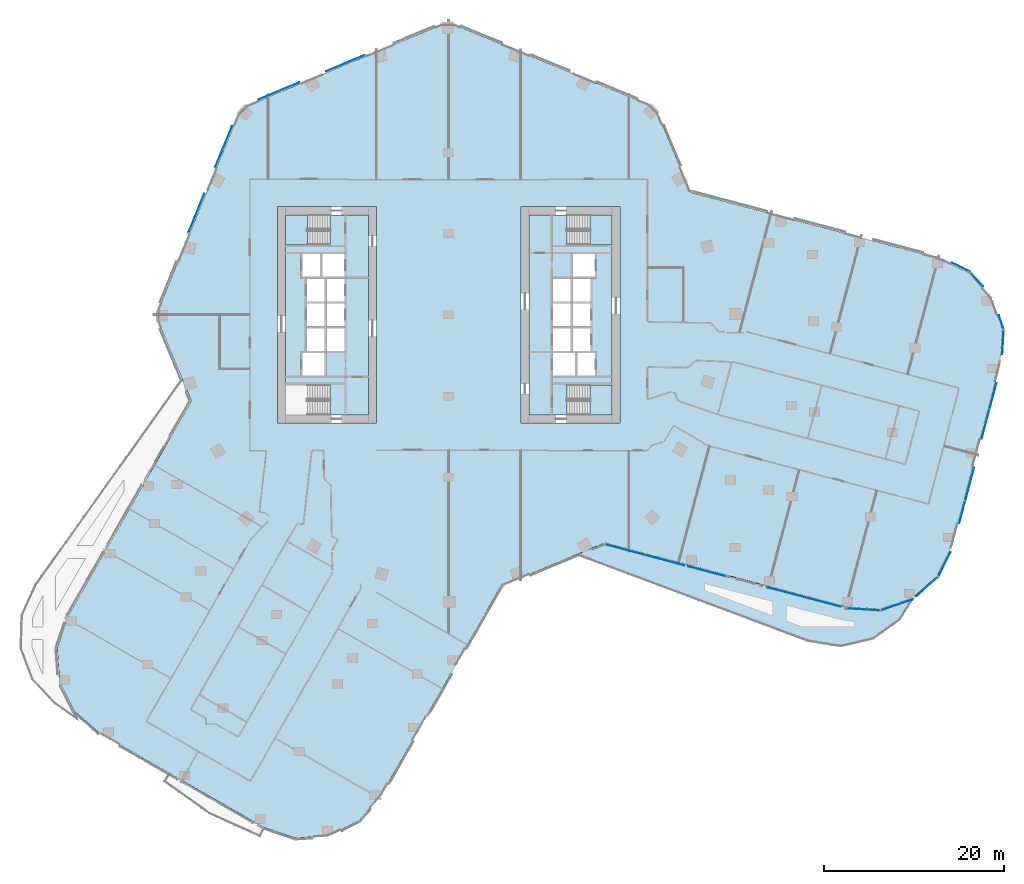
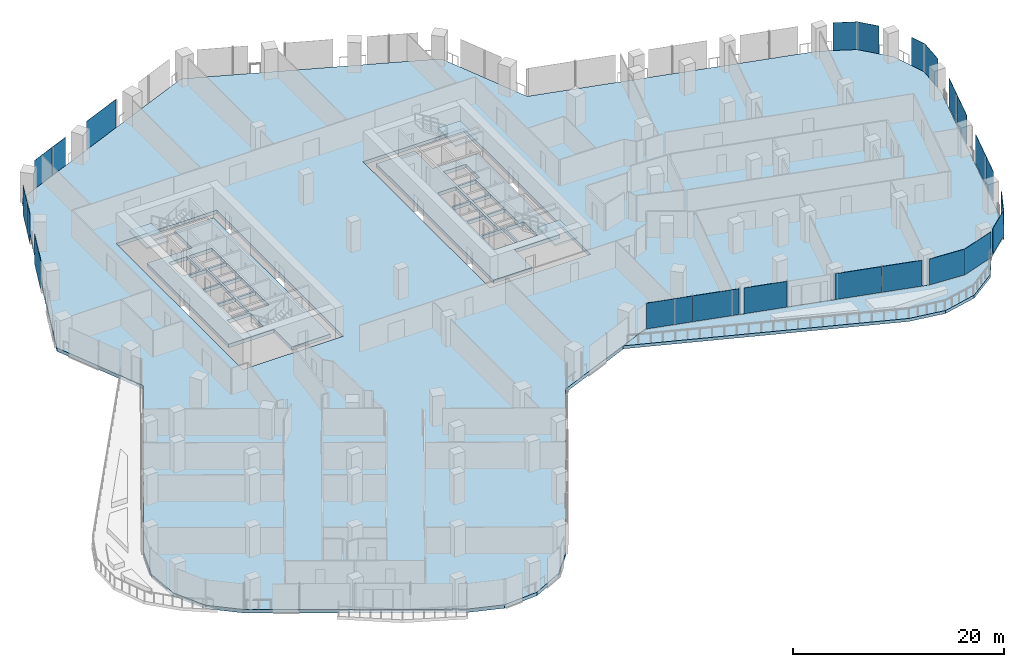
# One storey, part 20 of 34: 23 plates, 7 slabs, 15 elements without a shape of their own.
"""IFC4 building model written with IfcOpenShell, lengths in metres."""

from ifc_helpers import new_model, si_unit, direction, frame, origin, origin_2d, place, context, subcontext, project, spatial, polyline, rectangle, outline, extrude, material, layer, layer_set, type_object, element, aggregate, save


model = new_model("IFC4")

# Units and contexts
model_context = context("Model", 3, precision=1e-05, world=origin(), true_north=direction((0.0, 1.0)))
body_context = subcontext(model_context, "Body", "Model", "MODEL_VIEW")
ifc_project = project(units=[si_unit("LENGTHUNIT", "METRE"), si_unit("AREAUNIT", "SQUARE_METRE"), si_unit("VOLUMEUNIT", "CUBIC_METRE"), si_unit("PLANEANGLEUNIT", "RADIAN"), si_unit("MASSUNIT", "GRAM", prefix="KILO")], contexts=[model_context])

# Site, building, storey
site_placement = place(None, origin())
site = spatial("IfcSite", under=ifc_project, at=site_placement, CompositionType="ELEMENT")
building_placement = place(site_placement, origin())
building = spatial("IfcBuilding", under=site, at=building_placement, Name="Orlundy Tower", CompositionType="ELEMENT")
storey_placement = place(building_placement, frame((0.0, 0.0, 102.199951171875)))
storey = spatial("IfcBuildingStorey", under=building, at=storey_placement, Name="L25", CompositionType="ELEMENT", Elevation=102.199951171875)

# Curtain wall, plates
ifc_material_1 = material(Name="Aluminium bronze anodised", Category="aluminium")
curtain_wall_type = type_object("IfcCurtainWallType", Name="CW1 wall", PredefinedType="NOTDEFINED", material=ifc_material_1)
curtain_wall_1_placement = place(storey_placement, origin())
curtain_wall_1 = element("IfcCurtainWall", 1, at=curtain_wall_1_placement, inside=storey, type_object=curtain_wall_type, Name="CW1 run 00", PredefinedType="NOTDEFINED")
ifc_material_2 = material(Name="Tinted glass", Category="glass")
ifc_layer_1 = layer(ifc_material_2, 0.031982421875)
ifc_layer_set_1 = layer_set([ifc_layer_1], Name="CW1 glass panel 32")
plate_type = type_object("IfcPlateType", Name="CW1 glass panel 32", PredefinedType="CURTAIN_PANEL", material=ifc_layer_set_1)
plate_1_placement = place(storey_placement, frame((41.577392578125, -31.870361328125, 0.1201171875), z_axis=(0.0, 0.0, 1.0), x_axis=(-0.966673796654, 0.256011270968, 0.0)))
plate_1 = element("IfcPlate", 2, at=plate_1_placement, type_object=plate_type, Name="CW1 panel", PredefinedType="CURTAIN_PANEL", context=body_context, shape_type="SweptSolid", body=[
    extrude(rectangle(XDim=3.91357421875, YDim=0.031982421875, at=origin_2d()), origin(), (0.0, 0.0, 1.0), 2.97998046875),
])
plate_2_placement = place(storey_placement, frame((37.4482421875, -30.77685546875, 0.1201171875), z_axis=(0.0, 0.0, 1.0), x_axis=(-0.966673796654, 0.256011270968, 0.0)))
plate_2 = element("IfcPlate", 3, at=plate_2_placement, type_object=plate_type, Name="CW1 panel", PredefinedType="CURTAIN_PANEL", context=body_context, shape_type="SweptSolid", body=[
    extrude(rectangle(XDim=4.529541015625, YDim=0.031982421875, at=origin_2d()), origin(), (0.0, 0.0, 1.0), 2.97998046875),
])
plate_3_placement = place(storey_placement, frame((28.638916015625, -28.44384765625, 0.1201171875), z_axis=(0.0, 0.0, 1.0), x_axis=(-0.966673796654, 0.256011270968, 0.0)))
plate_3 = element("IfcPlate", 4, at=plate_3_placement, type_object=plate_type, Name="CW1 panel", PredefinedType="CURTAIN_PANEL", context=body_context, shape_type="SweptSolid", body=[
    extrude(rectangle(XDim=4.232666015625, YDim=0.031982421875, at=origin_2d()), origin(), (0.0, 0.0, 1.0), 2.97998046875),
])
plate_4_placement = place(storey_placement, frame((23.957275390625, -27.203857421875, 0.1201171875), z_axis=(0.0, 0.0, 1.0), x_axis=(-0.966673796654, 0.256011270968, 0.0)))
plate_4 = element("IfcPlate", 5, at=plate_4_placement, type_object=plate_type, Name="CW1 panel", PredefinedType="CURTAIN_PANEL", context=body_context, shape_type="SweptSolid", body=[
    extrude(rectangle(XDim=4.503662109375, YDim=0.031982421875, at=origin_2d()), origin(), (0.0, 0.0, 1.0), 2.97998046875),
])
plate_5_placement = place(storey_placement, frame((19.532958984375, -26.0322265625, 0.1201171875), z_axis=(0.0, 0.0, 1.0), x_axis=(-0.966673796654, 0.256011270968, 0.0)))
plate_5 = element("IfcPlate", 6, at=plate_5_placement, type_object=plate_type, Name="CW1 panel", PredefinedType="CURTAIN_PANEL", context=body_context, shape_type="SweptSolid", body=[
    extrude(rectangle(XDim=4.550048828125, YDim=0.031982421875, at=origin_2d()), origin(), (0.0, 0.0, 1.0), 2.97998046875),
])
aggregate(curtain_wall_1, [plate_1, plate_2, plate_3, plate_4, plate_5])

curtain_wall_2_placement = place(storey_placement, origin())
curtain_wall_2 = element("IfcCurtainWall", 7, at=curtain_wall_2_placement, inside=storey, type_object=curtain_wall_type, Name="CW1 run 014", PredefinedType="NOTDEFINED")
plate_6_placement = place(storey_placement, frame((-27.9658203125, 11.305908203125, -0.27978515625), z_axis=(0.0, 0.0, 1.0), x_axis=(0.380004927003, 0.924984462277, 0.0)))
plate_6 = element("IfcPlate", 8, at=plate_6_placement, type_object=plate_type, Name="CW1 panel", PredefinedType="CURTAIN_PANEL", context=body_context, shape_type="SweptSolid", body=[
    extrude(rectangle(XDim=4.58251953125, YDim=0.031982421875, at=origin_2d()), origin(), (0.0, 0.0, 1.0), 3.3798828125),
])
plate_7_placement = place(storey_placement, frame((-25.4697265625, 17.382080078125, -0.27978515625), z_axis=(0.0, 0.0, 1.0), x_axis=(0.380004927003, 0.924984462277, 0.0)))
plate_7 = element("IfcPlate", 9, at=plate_7_placement, type_object=plate_type, Name="CW1 panel", PredefinedType="CURTAIN_PANEL", context=body_context, shape_type="SweptSolid", body=[
    extrude(rectangle(XDim=2.0615234375, YDim=0.031982421875, at=origin_2d()), origin(), (0.0, 0.0, 1.0), 3.3798828125),
])
plate_8_placement = place(storey_placement, frame((-24.53759765625, 19.651123046875, -0.27978515625), z_axis=(0.0, 0.0, 1.0), x_axis=(0.380004927003, 0.924984462277, 0.0)))
plate_8 = element("IfcPlate", 10, at=plate_8_placement, type_object=plate_type, Name="CW1 panel", PredefinedType="CURTAIN_PANEL", context=body_context, shape_type="SweptSolid", body=[
    extrude(rectangle(XDim=2.74462890625, YDim=0.031982421875, at=origin_2d()), origin(), (0.0, 0.0, 1.0), 3.3798828125),
])
aggregate(curtain_wall_2, [plate_6, plate_7, plate_8])

curtain_wall_3_placement = place(storey_placement, origin())
curtain_wall_3 = element("IfcCurtainWall", 11, at=curtain_wall_3_placement, inside=storey, type_object=curtain_wall_type, Name="CW1 run 015", PredefinedType="NOTDEFINED")
plate_9_placement = place(storey_placement, frame((-19.78955078125, 24.42431640625, -0.27978515625), z_axis=(0.0, 0.0, 1.0), x_axis=(0.922759964351, 0.385375204433, 0.0)))
plate_9 = element("IfcPlate", 12, at=plate_9_placement, type_object=plate_type, Name="CW1 panel", PredefinedType="CURTAIN_PANEL", context=body_context, shape_type="SweptSolid", body=[
    extrude(rectangle(XDim=2.7353515625, YDim=0.031982421875, at=origin_2d()), origin(), (0.0, 0.0, 1.0), 3.3798828125),
])
plate_10_placement = place(storey_placement, frame((-17.529541015625, 25.3681640625, -0.27978515625), z_axis=(0.0, 0.0, 1.0), x_axis=(0.922759964351, 0.385375204433, 0.0)))
plate_10 = element("IfcPlate", 13, at=plate_10_placement, type_object=plate_type, Name="CW1 panel", PredefinedType="CURTAIN_PANEL", context=body_context, shape_type="SweptSolid", body=[
    extrude(rectangle(XDim=2.06298828125, YDim=0.031982421875, at=origin_2d()), origin(), (0.0, 0.0, 1.0), 3.3798828125),
])
plate_11_placement = place(storey_placement, frame((-11.464111328125, 27.901123046875, -0.27978515625), z_axis=(0.0, 0.0, 1.0), x_axis=(0.922759964351, 0.385375204433, 0.0)))
plate_11 = element("IfcPlate", 14, at=plate_11_placement, type_object=plate_type, Name="CW1 panel", PredefinedType="CURTAIN_PANEL", context=body_context, shape_type="SweptSolid", body=[
    extrude(rectangle(XDim=4.57373046875, YDim=0.031982421875, at=origin_2d()), origin(), (0.0, 0.0, 1.0), 3.3798828125),
])
aggregate(curtain_wall_3, [plate_9, plate_10, plate_11])

# Curtain wall, plate
curtain_wall_4_placement = place(storey_placement, origin())
curtain_wall_4 = element("IfcCurtainWall", 15, at=curtain_wall_4_placement, inside=storey, type_object=curtain_wall_type, Name="CW1 run 019", PredefinedType="NOTDEFINED")
plate_12_placement = place(storey_placement, frame((56.822021484375, 5.283935546875, -0.27978515625), z_axis=(0.0, 0.0, 1.0), x_axis=(0.898119249702, -0.439751990689, 0.0)))
plate_12 = element("IfcPlate", 16, at=plate_12_placement, type_object=plate_type, Name="CW1 panel", PredefinedType="CURTAIN_PANEL", context=body_context, shape_type="SweptSolid", body=[
    extrude(rectangle(XDim=2.292236328125, YDim=0.031982421875, at=origin_2d()), origin(), (0.0, 0.0, 1.0), 3.3798828125),
])
aggregate(curtain_wall_4, [plate_12])

curtain_wall_5_placement = place(storey_placement, origin())
curtain_wall_5 = element("IfcCurtainWall", 17, at=curtain_wall_5_placement, inside=storey, type_object=curtain_wall_type, Name="CW1 run 020", PredefinedType="NOTDEFINED")
plate_13_placement = place(storey_placement, frame((58.56396484375, 3.972412109375, -0.27978515625), z_axis=(0.0, 0.0, 1.0), x_axis=(0.661612712841, -0.749845729605, 0.0)))
plate_13 = element("IfcPlate", 18, at=plate_13_placement, type_object=plate_type, Name="CW1 panel", PredefinedType="CURTAIN_PANEL", context=body_context, shape_type="SweptSolid", body=[
    extrude(rectangle(XDim=2.154052734375, YDim=0.031982421875, at=origin_2d()), origin(), (0.0, 0.0, 1.0), 3.3798828125),
])
aggregate(curtain_wall_5, [plate_13])

curtain_wall_6_placement = place(storey_placement, origin())
curtain_wall_6 = element("IfcCurtainWall", 19, at=curtain_wall_6_placement, inside=storey, type_object=curtain_wall_type, Name="CW1 run 021", PredefinedType="NOTDEFINED")
plate_14_placement = place(storey_placement, frame((61.29833984375, -0.82470703125, -0.27978515625), z_axis=(0.0, 0.0, 1.0), x_axis=(0.32422777573, -0.945979042815, 0.0)))
plate_14 = element("IfcPlate", 20, at=plate_14_placement, type_object=plate_type, Name="CW1 panel", PredefinedType="CURTAIN_PANEL", context=body_context, shape_type="SweptSolid", body=[
    extrude(rectangle(XDim=1.67431640625, YDim=0.031982421875, at=origin_2d()), origin(), (0.0, 0.0, 1.0), 3.3798828125),
])
aggregate(curtain_wall_6, [plate_14])

curtain_wall_7_placement = place(storey_placement, origin())
curtain_wall_7 = element("IfcCurtainWall", 21, at=curtain_wall_7_placement, inside=storey, type_object=curtain_wall_type, Name="CW1 run 022", PredefinedType="NOTDEFINED")
plate_15_placement = place(storey_placement, frame((61.48388671875, -2.986328125, -0.27978515625), z_axis=(0.0, 0.0, 1.0), x_axis=(-0.062596654845, -0.998038906457, 0.0)))
plate_15 = element("IfcPlate", 22, at=plate_15_placement, type_object=plate_type, Name="CW1 panel", PredefinedType="CURTAIN_PANEL", context=body_context, shape_type="SweptSolid", body=[
    extrude(rectangle(XDim=2.74462890625, YDim=0.031982421875, at=origin_2d()), origin(), (0.0, 0.0, 1.0), 3.3798828125),
])
aggregate(curtain_wall_7, [plate_15])

# Curtain wall, plates
curtain_wall_8_placement = place(storey_placement, origin())
curtain_wall_8 = element("IfcCurtainWall", 23, at=curtain_wall_8_placement, inside=storey, type_object=curtain_wall_type, Name="CW1 run 023", PredefinedType="NOTDEFINED")
plate_16_placement = place(storey_placement, frame((60.373046875, -8.99560546875, -0.27978515625), z_axis=(0.0, 0.0, 1.0), x_axis=(-0.255990719194, -0.966679239296, 0.0)))
plate_16 = element("IfcPlate", 24, at=plate_16_placement, type_object=plate_type, Name="CW1 panel", PredefinedType="CURTAIN_PANEL", context=body_context, shape_type="SweptSolid", body=[
    extrude(rectangle(XDim=2.969970703125, YDim=0.031982421875, at=origin_2d()), origin(), (0.0, 0.0, 1.0), 3.3798828125),
])
plate_17_placement = place(storey_placement, frame((59.549560546875, -12.10546875, -0.27978515625), z_axis=(0.0, 0.0, 1.0), x_axis=(-0.255990719194, -0.966679239296, 0.0)))
plate_17 = element("IfcPlate", 25, at=plate_17_placement, type_object=plate_type, Name="CW1 panel", PredefinedType="CURTAIN_PANEL", context=body_context, shape_type="SweptSolid", body=[
    extrude(rectangle(XDim=3.364501953125, YDim=0.031982421875, at=origin_2d()), origin(), (0.0, 0.0, 1.0), 3.3798828125),
])
plate_18_placement = place(storey_placement, frame((57.787353515625, -18.760009765625, -0.27978515625), z_axis=(0.0, 0.0, 1.0), x_axis=(-0.255990719194, -0.966679239296, 0.0)))
plate_18 = element("IfcPlate", 26, at=plate_18_placement, type_object=plate_type, Name="CW1 panel", PredefinedType="CURTAIN_PANEL", context=body_context, shape_type="SweptSolid", body=[
    extrude(rectangle(XDim=3.768798828125, YDim=0.031982421875, at=origin_2d()), origin(), (0.0, 0.0, 1.0), 3.3798828125),
])
plate_19_placement = place(storey_placement, frame((56.96435546875, -21.86767578125, -0.27978515625), z_axis=(0.0, 0.0, 1.0), x_axis=(-0.255990719194, -0.966679239296, 0.0)))
plate_19 = element("IfcPlate", 27, at=plate_19_placement, type_object=plate_type, Name="CW1 panel", PredefinedType="CURTAIN_PANEL", context=body_context, shape_type="SweptSolid", body=[
    extrude(rectangle(XDim=2.56103515625, YDim=0.031982421875, at=origin_2d()), origin(), (0.0, 0.0, 1.0), 3.3798828125),
])
aggregate(curtain_wall_8, [plate_16, plate_17, plate_18, plate_19])

# Curtain wall, plate
curtain_wall_9_placement = place(storey_placement, origin())
curtain_wall_9 = element("IfcCurtainWall", 28, at=curtain_wall_9_placement, inside=storey, type_object=curtain_wall_type, Name="CW1 run 024", PredefinedType="NOTDEFINED")
plate_20_placement = place(storey_placement, frame((54.972412109375, -27.69384765625, -0.27978515625), z_axis=(0.0, 0.0, 1.0), x_axis=(-0.439751990689, -0.898119249702, 0.0)))
plate_20 = element("IfcPlate", 29, at=plate_20_placement, type_object=plate_type, Name="CW1 panel", PredefinedType="CURTAIN_PANEL", context=body_context, shape_type="SweptSolid", body=[
    extrude(rectangle(XDim=3.063232421875, YDim=0.031982421875, at=origin_2d()), origin(), (0.0, 0.0, 1.0), 3.3798828125),
])
aggregate(curtain_wall_9, [plate_20])

curtain_wall_10_placement = place(storey_placement, origin())
curtain_wall_10 = element("IfcCurtainWall", 30, at=curtain_wall_10_placement, inside=storey, type_object=curtain_wall_type, Name="CW1 run 025", PredefinedType="NOTDEFINED")
plate_21_placement = place(storey_placement, frame((53.092041015625, -30.134033203125, 0.1201171875), z_axis=(0.0, 0.0, 1.0), x_axis=(-0.749963804957, -0.661478866824, 0.0)))
plate_21 = element("IfcPlate", 31, at=plate_21_placement, type_object=plate_type, Name="CW1 panel", PredefinedType="CURTAIN_PANEL", context=body_context, shape_type="SweptSolid", body=[
    extrude(rectangle(XDim=3.21875, YDim=0.031982421875, at=origin_2d()), origin(), (0.0, 0.0, 1.0), 2.97998046875),
])
aggregate(curtain_wall_10, [plate_21])

curtain_wall_11_placement = place(storey_placement, origin())
curtain_wall_11 = element("IfcCurtainWall", 32, at=curtain_wall_11_placement, inside=storey, type_object=curtain_wall_type, Name="CW1 run 026", PredefinedType="NOTDEFINED")
plate_22_placement = place(storey_placement, frame((49.686279296875, -32.176025390625, 0.1201171875), z_axis=(0.0, 0.0, 1.0), x_axis=(-0.945950675878, -0.32431052836, 0.0)))
plate_22 = element("IfcPlate", 33, at=plate_22_placement, type_object=plate_type, Name="CW1 panel", PredefinedType="CURTAIN_PANEL", context=body_context, shape_type="SweptSolid", body=[
    extrude(rectangle(XDim=3.771484375, YDim=0.031982421875, at=origin_2d()), origin(), (0.0, 0.0, 1.0), 2.97998046875),
])
aggregate(curtain_wall_11, [plate_22])

curtain_wall_12_placement = place(storey_placement, origin())
curtain_wall_12 = element("IfcCurtainWall", 34, at=curtain_wall_12_placement, inside=storey, type_object=curtain_wall_type, Name="CW1 run 027", PredefinedType="NOTDEFINED")
plate_23_placement = place(storey_placement, frame((46.04052734375, -32.6708984375, 0.1201171875), z_axis=(0.0, 0.0, 1.0), x_axis=(-0.998039963249, 0.06257980311, 0.0)))
plate_23 = element("IfcPlate", 35, at=plate_23_placement, type_object=plate_type, Name="CW1 panel", PredefinedType="CURTAIN_PANEL", context=body_context, shape_type="SweptSolid", body=[
    extrude(rectangle(XDim=3.73095703125, YDim=0.031982421875, at=origin_2d()), origin(), (0.0, 0.0, 1.0), 2.97998046875),
])
aggregate(curtain_wall_12, [plate_23])

# Slabs
ifc_material_3 = material(Name="Concrete C50/60", Category="concrete")
ifc_layer_2 = layer(ifc_material_3, 0.409912109375)
ifc_layer_set_2 = layer_set([ifc_layer_2], Name="Core Floor Slab 410")
slab_type_1 = type_object("IfcSlabType", Name="Core Floor Slab 410", PredefinedType="FLOOR", material=ifc_layer_set_2)
slab_1_placement = place(storey_placement, frame((0.0, 0.0, -0.409912109375)))
element("IfcSlab", 36, at=slab_1_placement, inside=storey, type_object=slab_type_1, Name="Core floor W20", PredefinedType="FLOOR", context=body_context, shape_type="SweptSolid", body=[
    extrude(outline(polyline([(-13.14501953125, 7.75), (-13.14501953125, 11.10009765625), (-8.89990234375, 11.10009765625), (-8.89990234375, -11.10009765625), (-13.14501953125, -11.10009765625), (-13.14501953125, -7.75), (-18.10009765625, -7.75), (-18.10009765625, 7.75), (-13.14501953125, 7.75)]), holes=[polyline([(-16.239990234375, -6.77490234375), (-13.739990234375, -6.77490234375), (-13.739990234375, -4.22509765625), (-16.239990234375, -4.22509765625), (-16.239990234375, -6.77490234375)]), polyline([(-13.5400390625, -1.47509765625), (-13.5400390625, -4.02490234375), (-11.5400390625, -4.02490234375), (-11.5400390625, -1.47509765625), (-13.5400390625, -1.47509765625)]), polyline([(-13.739990234375, -1.47509765625), (-15.739990234375, -1.47509765625), (-15.739990234375, -4.02490234375), (-13.739990234375, -4.02490234375), (-13.739990234375, -1.47509765625)]), polyline([(-11.5400390625, -1.27490234375), (-11.5400390625, 1.27490234375), (-13.5400390625, 1.27490234375), (-13.5400390625, -1.27490234375), (-11.5400390625, -1.27490234375)]), polyline([(-15.739990234375, -1.27490234375), (-13.739990234375, -1.27490234375), (-13.739990234375, 1.27490234375), (-15.739990234375, 1.27490234375), (-15.739990234375, -1.27490234375)]), polyline([(-13.5400390625, 4.02490234375), (-13.5400390625, 1.47509765625), (-11.5400390625, 1.47509765625), (-11.5400390625, 4.02490234375), (-13.5400390625, 4.02490234375)]), polyline([(-13.739990234375, 4.02490234375), (-15.739990234375, 4.02490234375), (-15.739990234375, 1.47509765625), (-13.739990234375, 1.47509765625), (-13.739990234375, 4.02490234375)]), polyline([(-11.5400390625, 4.22509765625), (-11.5400390625, 6.77490234375), (-14.0400390625, 6.77490234375), (-14.0400390625, 4.22509765625), (-11.5400390625, 4.22509765625)]), polyline([(-16.239990234375, 4.22509765625), (-14.239990234375, 4.22509765625), (-14.239990234375, 6.77490234375), (-16.239990234375, 6.77490234375), (-16.239990234375, 4.22509765625)])]), origin(), (0.0, 0.0, 1.0), 0.409912109375),
])
slab_2_placement = place(storey_placement, frame((0.0, 0.0, -0.409912109375)))
element("IfcSlab", 37, at=slab_2_placement, inside=storey, type_object=slab_type_1, Name="Core floor E20", PredefinedType="FLOOR", context=body_context, shape_type="SweptSolid", body=[
    extrude(outline(polyline([(13.14501953125, -7.75), (13.14501953125, -11.10009765625), (8.89990234375, -11.10009765625), (8.89990234375, 11.10009765625), (13.14501953125, 11.10009765625), (13.14501953125, 7.75), (18.10009765625, 7.75), (18.10009765625, -7.75), (13.14501953125, -7.75)]), holes=[polyline([(16.239990234375, 6.77490234375), (13.739990234375, 6.77490234375), (13.739990234375, 4.22509765625), (16.239990234375, 4.22509765625), (16.239990234375, 6.77490234375)]), polyline([(13.5400390625, 1.47509765625), (13.5400390625, 4.02490234375), (11.5400390625, 4.02490234375), (11.5400390625, 1.47509765625), (13.5400390625, 1.47509765625)]), polyline([(13.739990234375, 1.47509765625), (15.739990234375, 1.47509765625), (15.739990234375, 4.02490234375), (13.739990234375, 4.02490234375), (13.739990234375, 1.47509765625)]), polyline([(11.5400390625, 1.27490234375), (11.5400390625, -1.27490234375), (13.5400390625, -1.27490234375), (13.5400390625, 1.27490234375), (11.5400390625, 1.27490234375)]), polyline([(15.739990234375, 1.27490234375), (13.739990234375, 1.27490234375), (13.739990234375, -1.27490234375), (15.739990234375, -1.27490234375), (15.739990234375, 1.27490234375)]), polyline([(13.5400390625, -4.02490234375), (13.5400390625, -1.47509765625), (11.5400390625, -1.47509765625), (11.5400390625, -4.02490234375), (13.5400390625, -4.02490234375)]), polyline([(13.739990234375, -4.02490234375), (15.739990234375, -4.02490234375), (15.739990234375, -1.47509765625), (13.739990234375, -1.47509765625), (13.739990234375, -4.02490234375)]), polyline([(11.5400390625, -4.22509765625), (11.5400390625, -6.77490234375), (14.0400390625, -6.77490234375), (14.0400390625, -4.22509765625), (11.5400390625, -4.22509765625)]), polyline([(16.239990234375, -4.22509765625), (14.239990234375, -4.22509765625), (14.239990234375, -6.77490234375), (16.239990234375, -6.77490234375), (16.239990234375, -4.22509765625)])]), origin(), (0.0, 0.0, 1.0), 0.409912109375),
])

# Stair, slab
ifc_material_4 = material(Name="Concrete C50/60", Category="concrete")
stair_type = type_object("IfcStairType", Name="Exit Stair 20 risers", PredefinedType="HALF_TURN_STAIR", material=ifc_material_4)
stair_1_placement = place(storey_placement, origin())
stair_1 = element("IfcStair", 38, at=stair_1_placement, inside=storey, type_object=stair_type, Name="L25 Exit Stair ST-W1", PredefinedType="HALF_TURN_STAIR")
ifc_material_5 = material(Name="Concrete C50/60", Category="concrete")
ifc_layer_3 = layer(ifc_material_5, 0.199951171875)
ifc_layer_set_3 = layer_set([ifc_layer_3], Name="Exit Stair Landing")
slab_type_2 = type_object("IfcSlabType", Name="Exit Stair Landing", PredefinedType="LANDING", material=ifc_layer_set_3)
slab_3_placement = place(storey_placement, frame((0.0, 0.0, 1.550048828125)))
slab_3 = element("IfcSlab", 39, at=slab_3_placement, type_object=slab_type_2, Name="ST-W1 landing 1", PredefinedType="LANDING", context=body_context, shape_type="SweptSolid", body=[
    extrude(outline(polyline([(-15.659912109375, 11.10009765625), (-18.10009765625, 11.10009765625), (-18.10009765625, 7.75), (-15.659912109375, 7.75), (-15.659912109375, 11.10009765625)])), origin(), (0.0, 0.0, 1.0), 0.199951171875),
])
aggregate(stair_1, [slab_3])

stair_2_placement = place(storey_placement, origin())
stair_2 = element("IfcStair", 40, at=stair_2_placement, inside=storey, type_object=stair_type, Name="L25 Exit Stair ST-E1", PredefinedType="HALF_TURN_STAIR")
slab_4_placement = place(storey_placement, frame((0.0, 0.0, 1.550048828125)))
slab_4 = element("IfcSlab", 41, at=slab_4_placement, type_object=slab_type_2, Name="ST-E1 landing 1", PredefinedType="LANDING", context=body_context, shape_type="SweptSolid", body=[
    extrude(outline(polyline([(15.659912109375, -11.10009765625), (18.10009765625, -11.10009765625), (18.10009765625, -7.75), (15.659912109375, -7.75), (15.659912109375, -11.10009765625)])), origin(), (0.0, 0.0, 1.0), 0.199951171875),
])
aggregate(stair_2, [slab_4])

stair_3_placement = place(storey_placement, origin())
stair_3 = element("IfcStair", 42, at=stair_3_placement, inside=storey, type_object=stair_type, Name="L25 Exit Stair ST-E2", PredefinedType="HALF_TURN_STAIR")
slab_5_placement = place(storey_placement, frame((0.0, 0.0, 1.550048828125)))
slab_5 = element("IfcSlab", 43, at=slab_5_placement, type_object=slab_type_2, Name="ST-E2 landing 1", PredefinedType="LANDING", context=body_context, shape_type="SweptSolid", body=[
    extrude(outline(polyline([(15.659912109375, 7.75), (18.10009765625, 7.75), (18.10009765625, 11.10009765625), (15.659912109375, 11.10009765625), (15.659912109375, 7.75)])), origin(), (0.0, 0.0, 1.0), 0.199951171875),
])
aggregate(stair_3, [slab_5])

# Slabs
ifc_material_6 = material(Name="Concrete C45/55", Category="concrete")
ifc_layer_4 = layer(ifc_material_6, 0.39990234375)
ifc_layer_set_4 = layer_set([ifc_layer_4], Name="FLOOR SLAB THICK 400 C45/55")
slab_type_3 = type_object("IfcSlabType", Name="FLOOR SLAB THICK 400 C45/55", PredefinedType="FLOOR", material=ifc_layer_set_4)
slab_6_placement = place(storey_placement, frame((0.0, 0.0, -0.39990234375)))
element("IfcSlab", 44, at=slab_6_placement, inside=storey, type_object=slab_type_3, Name="Floor slab L25", PredefinedType="FLOOR", context=body_context, shape_type="SweptSolid", body=[
    extrude(outline(polyline([(17.322021484375, -25.277099609375), (5.800048828125, -30.089111328125), (-7.52392578125, -53.322998046875), (-9.9599609375, -56.116943359375), (-13.280029296875, -57.76611328125), (-16.97802734375, -58.02001953125), (-20.490966796875, -56.837890625), (-38.7080078125, -46.39111328125), (-41.501953125, -43.955078125), (-43.152099609375, -40.635986328125), (-43.405029296875, -36.93798828125), (-42.222900390625, -33.424072265625), (-28.527099609375, -9.541015625), (-32.471923828125, -0.093994140625), (-23.028076171875, 22.89404296875), (-0.093994140625, 32.471923828125), (22.89404296875, 23.028076171875), (26.839111328125, 13.58203125), (54.4208984375, 6.277099609375), (57.75, 4.64697265625), (60.201904296875, 1.867919921875), (61.404052734375, -1.638916015625), (61.172119140625, -5.337890625), (55.7958984375, -25.638916015625), (54.166015625, -28.968017578125), (51.385986328125, -31.419921875), (47.8798828125, -32.6220703125), (44.179931640625, -32.389892578125), (17.322021484375, -25.277099609375)]), holes=[polyline([(-8.0, -12.0), (-8.0, 12.0), (-19.0, 12.0), (-19.0, -12.0), (-8.0, -12.0)]), polyline([(19.0, -12.0), (19.0, 12.0), (8.0, 12.0), (8.0, -12.0), (19.0, -12.0)])]), origin(), (0.0, 0.0, 1.0), 0.39990234375),
])
ifc_material_7 = material(Name="Concrete C45/55", Category="concrete")
ifc_layer_5 = layer(ifc_material_7, 0.35009765625)
ifc_layer_set_5 = layer_set([ifc_layer_5], Name="TERRACE SLAB 350 C45/55")
slab_type_4 = type_object("IfcSlabType", Name="TERRACE SLAB 350 C45/55", PredefinedType="ROOF", material=ifc_layer_set_5)
slab_7_placement = place(storey_placement, frame((0.0, 0.0, -0.349853515625)))
element("IfcSlab", 45, at=slab_7_placement, inside=storey, type_object=slab_type_4, Name="Terrace slab L25-1", PredefinedType="ROOF", context=body_context, shape_type="SweptSolid", body=[
    extrude(outline(polyline([(14.10009765625, -26.6240234375), (17.322021484375, -25.277099609375), (44.179931640625, -32.389892578125), (47.8798828125, -32.6220703125), (51.64892578125, -31.3310546875), (50.10400390625, -33.823974609375), (47.095947265625, -35.989990234375), (43.488037109375, -36.840087890625), (39.8291015625, -36.243896484375), (14.10009765625, -26.6240234375)])), origin(), (0.0, 0.0, 1.0), 0.349853515625),
])

save(model, "model.ifc")
